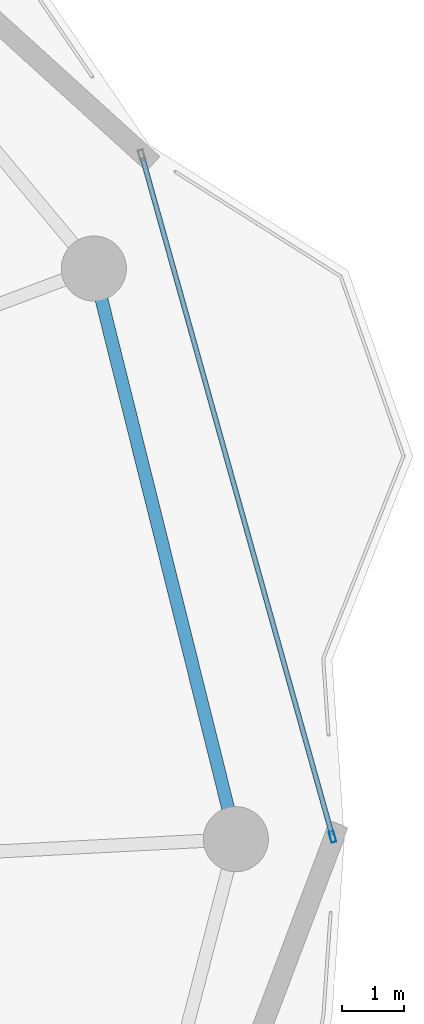
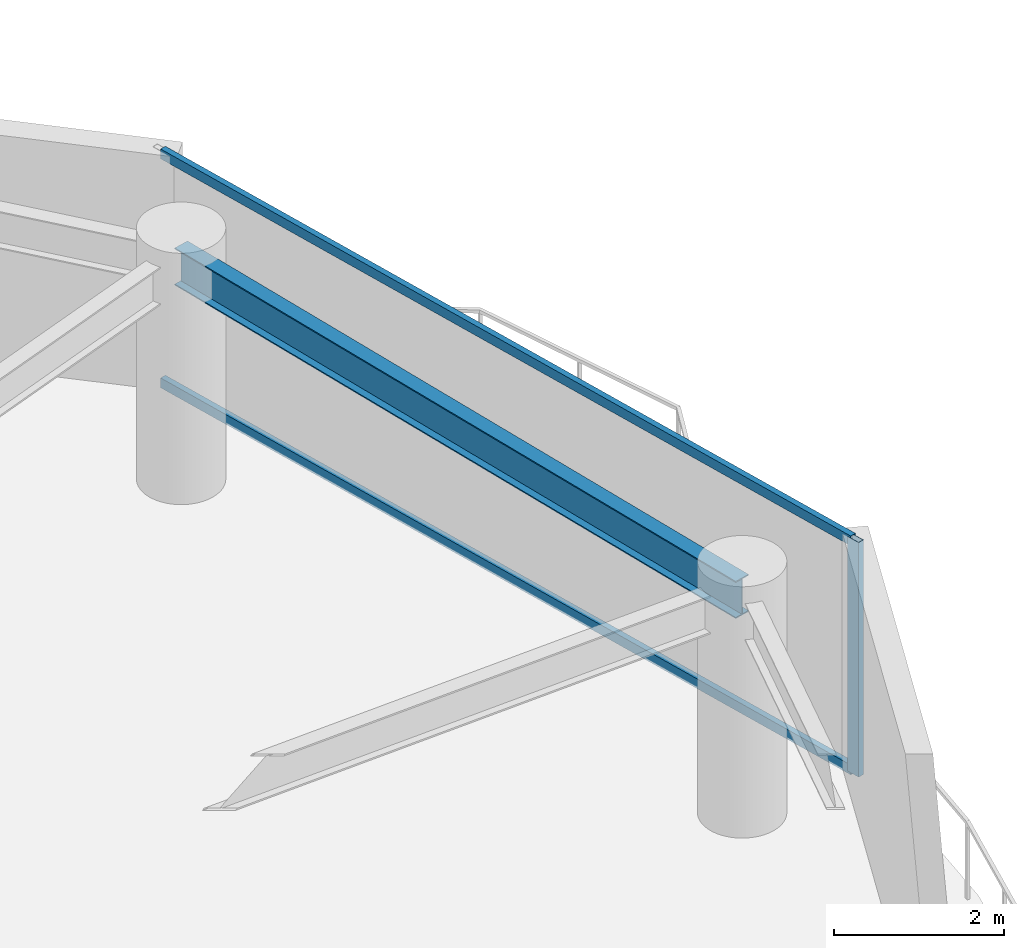
# One storey, part 15 of 29: 3 members, 1 beam, 1 element without a shape of its own.
"""IFC4 building model written with IfcOpenShell, lengths in metres."""

from ifc_helpers import new_model, si_unit, direction, frame, origin, origin_2d, place, context, subcontext, project, spatial, hollow_rectangle, i_section, extrude, material, layer, layer_set, material_profile, profile_set, type_object, element, aggregate, save


model = new_model("IFC4")

# Units and contexts
model_context = context("Model", 3, precision=1e-05, world=origin(), true_north=direction((0.0, 1.0)))
body_context = subcontext(model_context, "Body", "Model", "MODEL_VIEW")
ifc_project = project(units=[si_unit("LENGTHUNIT", "METRE"), si_unit("AREAUNIT", "SQUARE_METRE"), si_unit("VOLUMEUNIT", "CUBIC_METRE"), si_unit("PLANEANGLEUNIT", "RADIAN"), si_unit("MASSUNIT", "GRAM", prefix="KILO")], contexts=[model_context])

# Site, building, storey
site_placement = place(None, origin())
site = spatial("IfcSite", under=ifc_project, at=site_placement, CompositionType="ELEMENT")
building_placement = place(site_placement, origin())
building = spatial("IfcBuilding", under=site, at=building_placement, Name="Kazevale Care Tower and Concert Hall", CompositionType="ELEMENT")
storey_placement = place(building_placement, frame((0.0, 0.0, 213.60009765625)))
storey = spatial("IfcBuildingStorey", under=building, at=storey_placement, Name="L56", CompositionType="ELEMENT", Elevation=213.60009765625)

# Curtain wall, members
ifc_material_1 = material(Name="Aluminium 6063-T6 and Low-E Glass", Category="aluminium")
ifc_layer = layer(ifc_material_1, 0.179931640625)
ifc_layer_set = layer_set([ifc_layer], Name="Aluminium 6063-T6 and Low-E Glass")
curtain_wall_type = type_object("IfcCurtainWallType", Name="Waist & Upper Residential Curtain Wall CW-4", PredefinedType="NOTDEFINED", material=ifc_layer_set)
curtain_wall_placement = place(storey_placement, origin())
curtain_wall = element("IfcCurtainWall", 1, at=curtain_wall_placement, inside=storey, type_object=curtain_wall_type, Name="cw:L56:f18", PredefinedType="NOTDEFINED")
ifc_material_2 = material(Name="Aluminium 6063-T6", Category="aluminium")
ifc_material_profile_1 = material_profile(ifc_material_2, hollow_rectangle(XDim=0.080078125, YDim=0.179931640625, WallThickness=0.0048828125, at=origin_2d()), Name="ALU80x180x5")
ifc_profile_set_1 = profile_set([ifc_material_profile_1], Name="Aluminium 6063-T6")
member_type_1 = type_object("IfcMemberType", Name="CW-4 Mullion ALU80x180x5", PredefinedType="MULLION", material=ifc_profile_set_1)
member_1_placement = place(storey_placement, frame((76.609130859375, 38.03857421875, 0.0), z_axis=(0.0, 0.0, 1.0), x_axis=(0.962972156211, 0.269600864915, 0.0)))
member_1 = element("IfcMember", 2, at=member_1_placement, type_object=member_type_1, Name="CW-4 mullion 2", PredefinedType="MULLION", context=body_context, shape_type="SweptSolid", body=[
    extrude(hollow_rectangle(XDim=0.080078125, YDim=0.179931640625, WallThickness=0.0048828125, at=origin_2d()), origin(), (0.0, 0.0, 1.0), 3.35986328125),
])
ifc_material_profile_2 = material_profile(ifc_material_2, hollow_rectangle(XDim=0.080078125, YDim=0.139892578125, WallThickness=0.00390625, at=origin_2d()), Name="ALU80x140x4")
ifc_profile_set_2 = profile_set([ifc_material_profile_2], Name="Aluminium 6063-T6")
member_type_2 = type_object("IfcMemberType", Name="CW-4 Transom ALU80x140x4", PredefinedType="USERDEFINED", material=ifc_profile_set_2)
member_2_placement = place(storey_placement, frame((73.544677734375, 48.98486328125, 0.039794921875), z_axis=(0.269593149795, -0.96297431616, 0.0), x_axis=(0.96297431616, 0.269593149795, 0.0)))
member_2 = element("IfcMember", 3, at=member_2_placement, type_object=member_type_2, Name="CW-4 transom 1.1", ObjectType="TRANSOM", PredefinedType="USERDEFINED", context=body_context, shape_type="SweptSolid", body=[
    extrude(hollow_rectangle(XDim=0.080078125, YDim=0.139892578125, WallThickness=0.00390625, at=origin_2d()), origin(), (0.0, 0.0, 1.0), 11.3271484375),
])
member_3_placement = place(storey_placement, frame((73.544677734375, 48.98486328125, 3.31982421875), z_axis=(0.269593149795, -0.96297431616, 0.0), x_axis=(0.96297431616, 0.269593149795, 0.0)))
member_3 = element("IfcMember", 4, at=member_3_placement, type_object=member_type_2, Name="CW-4 transom 1.2", ObjectType="TRANSOM", PredefinedType="USERDEFINED", context=body_context, shape_type="SweptSolid", body=[
    extrude(hollow_rectangle(XDim=0.080078125, YDim=0.139892578125, WallThickness=0.00390625, at=origin_2d()), origin(), (0.0, 0.0, 1.0), 11.3271484375),
])
aggregate(curtain_wall, [member_1, member_2, member_3])

# Beam
ifc_material_3 = material(Name="Steel ASTM A572 Gr 50", Category="steel")
ifc_material_profile_3 = material_profile(ifc_material_3, i_section(OverallWidth=0.208984375, OverallDepth=0.532958984375, WebThickness=0.01025390625, FlangeThickness=0.015625, at=origin_2d()), Name="W530x92")
ifc_profile_set_3 = profile_set([ifc_material_profile_3], Name="Steel ASTM A572 Gr 50")
beam_type = type_object("IfcBeamType", Name="Upper Ring Beam W530x92", PredefinedType="BEAM", material=ifc_profile_set_3)
beam_placement = place(storey_placement, frame((75.050048828125, 38.0, 3.093505859375), z_axis=(-0.241547858543, 0.970388907621, 0.0), x_axis=(-0.970388907621, -0.241547858543, 0.0)))
element("IfcBeam", 5, at=beam_placement, inside=storey, type_object=beam_type, Name="beam:L56:ring:01", PredefinedType="BEAM", context=body_context, shape_type="SweptSolid", body=[
    extrude(i_section(OverallWidth=0.208984375, OverallDepth=0.532958984375, WebThickness=0.01025390625, FlangeThickness=0.015625, at=origin_2d()), origin(), (0.0, 0.0, 1.0), 9.480712890625),
])

save(model, "model.ifc")
